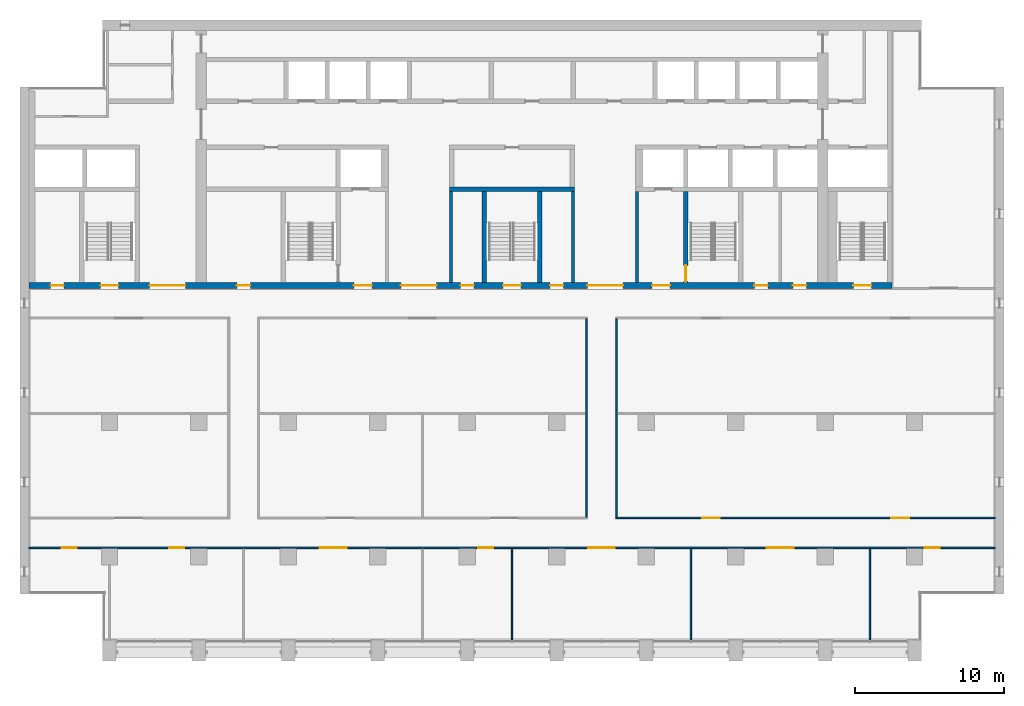
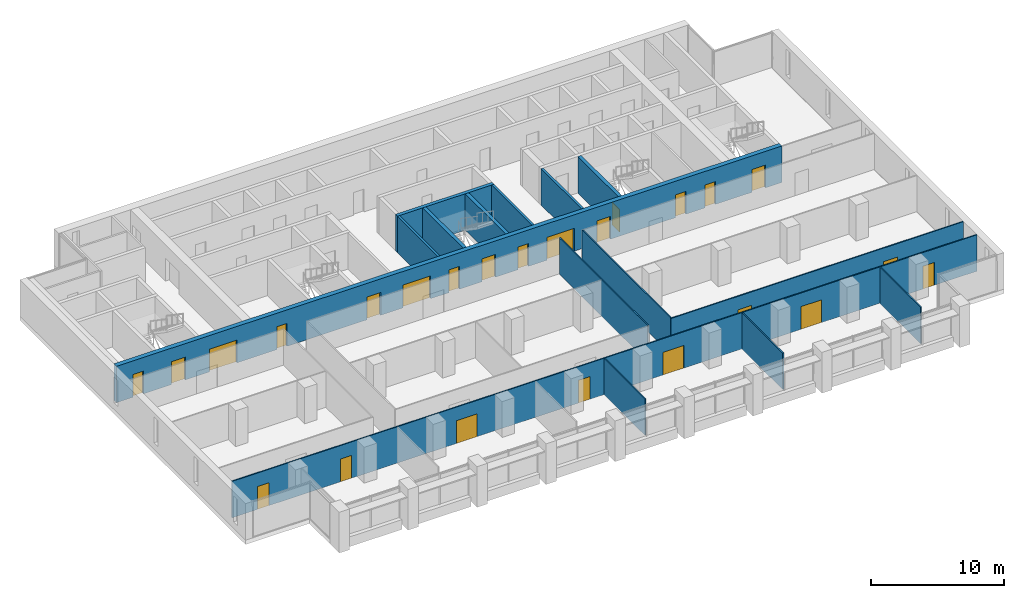
# One storey, part 9 of 17: 24 doors, 15 walls, 24 openings.
"""IFC4 building model written with IfcOpenShell, lengths in metres."""

from ifc_helpers import new_model, si_unit, direction, frame, frame_2d, origin, place, context, subcontext, project, spatial, rectangle, extrude, material, layer, layer_set, type_object, element, fill, save


model = new_model("IFC4")

# Units and contexts
model_context = context("Model", 3, precision=1e-05, world=origin(), true_north=direction((0.0, 1.0)))
body_context = subcontext(model_context, "Body", "Model", "MODEL_VIEW")
ifc_project = project(units=[si_unit("LENGTHUNIT", "METRE"), si_unit("AREAUNIT", "SQUARE_METRE"), si_unit("VOLUMEUNIT", "CUBIC_METRE"), si_unit("PLANEANGLEUNIT", "RADIAN"), si_unit("MASSUNIT", "GRAM", prefix="KILO")], contexts=[model_context])

# Site, building, storey
site_placement = place(None, origin())
site = spatial("IfcSite", under=ifc_project, at=site_placement, CompositionType="ELEMENT")
building_placement = place(site_placement, origin())
building = spatial("IfcBuilding", under=site, at=building_placement, Name="Calvaro Tower", CompositionType="ELEMENT")
storey_placement = place(building_placement, frame((0.0, 0.0, 193.0)))
storey = spatial("IfcBuildingStorey", under=building, at=storey_placement, Name="L48", CompositionType="ELEMENT", Elevation=193.0)

# Walls
ifc_material_1 = material(Name="Blockwork partition", Category="masonry")
ifc_layer_1 = layer(ifc_material_1, 0.199951171875)
ifc_layer_set_1 = layer_set([ifc_layer_1], Name="Blockwork partition")
wall_type_1 = type_object("IfcWallType", Name="Core partition 200 REI 120", PredefinedType="PARTITIONING", material=ifc_layer_set_1)
for number, where, z_axis, x_axis, name in (
    (1, (34.89990234375, 28.39990234375, 0.0), (0.0, 0.0, 1.0), (0.0, 1.0, 0.0), "Core partition"),
    (2, (43.10009765625, 28.39990234375, 0.0), (0.0, 0.0, 1.0), (0.0, 1.0, 0.0), "Core partition"),
    (3, (47.39990234375, 28.39990234375, 0.0), (0.0, 0.0, 1.0), (0.0, 1.0, 0.0), "Core partition"),
):
    element("IfcWall", number, at=place(storey_placement, frame(where, z_axis=z_axis, x_axis=x_axis)), inside=storey, type_object=wall_type_1, Name=name, PredefinedType="PARTITIONING", context=body_context, shape_type="SweptSolid", body=[
        extrude(rectangle(XDim=6.10009765625, YDim=0.199951171875, at=frame_2d((3.050048828125, 0.0))), origin(), (0.0, 0.0, 1.0), 3.35009765625),
    ])
ifc_material_2 = material(Name="Concrete C50/60", Category="concrete")
ifc_layer_2 = layer(ifc_material_2, 0.300048828125)
ifc_layer_set_2 = layer_set([ifc_layer_2], Name="Concrete C50/60")
wall_type_2 = type_object("IfcWallType", Name="Core wall C50/60 300", PredefinedType="SHEAR", material=ifc_layer_set_2)
for number, where, z_axis, x_axis, name in (
    (4, (37.14990234375, 28.39990234375, 0.0), (0.0, 0.0, 1.0), (0.0, 1.0, 0.0), "Core wall, stair enclosure"),
    (5, (40.85009765625, 28.39990234375, 0.0), (0.0, 0.0, 1.0), (0.0, 1.0, 0.0), "Core wall, stair enclosure"),
):
    element("IfcWall", number, at=place(storey_placement, frame(where, z_axis=z_axis, x_axis=x_axis)), inside=storey, type_object=wall_type_2, Name=name, PredefinedType="SHEAR", context=body_context, shape_type="SweptSolid", body=[
        extrude(rectangle(XDim=6.10009765625, YDim=0.300048828125, at=frame_2d((3.050048828125, 0.0))), origin(), (0.0, 0.0, 1.0), 3.35009765625),
    ])

# Wall, opening, door
wall_1_placement = place(storey_placement, frame((50.64990234375, 34.5, 0.0), z_axis=(0.0, 0.0, 1.0), x_axis=(0.0, -1.0, 0.0)))
wall_1 = element("IfcWall", 6, at=wall_1_placement, inside=storey, type_object=wall_type_2, Name="Core wall, stair enclosure", PredefinedType="SHEAR", context=body_context, shape_type="SweptSolid", body=[
    extrude(rectangle(XDim=6.10009765625, YDim=0.300048828125, at=frame_2d((3.050048828125, 0.0))), origin(), (0.0, 0.0, 1.0), 3.35009765625),
])
opening_1_placement = place(wall_1_placement, frame((4.949951171875, 0.0, 0.0)))
opening_1 = element("IfcOpeningElement", 7, at=opening_1_placement, cuts=wall_1, Name="Opening FD11D", PredefinedType="OPENING", context=body_context, shape_type="SweptSolid", body=[
    extrude(rectangle(XDim=1.10009765625, YDim=2.10009765625, at=frame_2d((0.550048828125, 1.050048828125))), frame((0.0, 0.159912109375, 0.0), z_axis=(0.0, -1.0, 0.0), x_axis=(1.0, 0.0, 0.0)), (0.0, 0.0, 1.0), 0.320068359375),
])
ifc_material_3 = material(Name="Steel door set", Category="steel")
door_type_1 = type_object("IfcDoorType", Name="Fire door 1100 FD30S", OperationType="SINGLE_SWING_LEFT", PredefinedType="DOOR", material=ifc_material_3)
door_1_placement = place(opening_1_placement, origin())
door_1 = element("IfcDoor", 8, at=door_1_placement, inside=storey, type_object=door_type_1, Name="Fire door", OperationType="SINGLE_SWING_RIGHT", OverallHeight=2.10009765625, OverallWidth=1.10009765625, PredefinedType="DOOR", context=body_context, shape_type="SweptSolid", body=[
    extrude(rectangle(XDim=1.10009765625, YDim=2.10009765625, at=frame_2d((0.550048828125, 1.050048828125))), frame((0.0, 0.02490234375, 0.0), z_axis=(0.0, -1.0, 0.0), x_axis=(1.0, 0.0, 0.0)), (0.0, 0.0, 1.0), 0.050048828125),
])
fill(opening_1, door_1)

# Wall
wall_2_placement = place(storey_placement, frame((34.800048828125, 34.64990234375, 0.0), z_axis=(0.0, 0.0, 1.0), x_axis=(1.0, 0.0, 0.0)))
element("IfcWall", 9, at=wall_2_placement, inside=storey, type_object=wall_type_2, Name="Core wall, lift shaft", PredefinedType="SHEAR", context=body_context, shape_type="SweptSolid", body=[
    extrude(rectangle(XDim=8.39990234375, YDim=0.300048828125, at=frame_2d((4.199951171875, 0.0))), origin(), (0.0, 0.0, 1.0), 3.35009765625),
])

# Wall, openings, doors
ifc_material_4 = material(Name="Concrete C50/60", Category="concrete")
ifc_layer_3 = layer(ifc_material_4, 0.39990234375)
ifc_layer_set_3 = layer_set([ifc_layer_3], Name="Concrete C50/60")
wall_type_3 = type_object("IfcWallType", Name="Core wall C50/60 400", PredefinedType="SHEAR", material=ifc_layer_set_3)
wall_3_placement = place(storey_placement, frame((6.60009765625, 28.199951171875, 0.0), z_axis=(0.0, 0.0, 1.0), x_axis=(1.0, 0.0, 0.0)))
wall_3 = element("IfcWall", 10, at=wall_3_placement, inside=storey, type_object=wall_type_3, Name="Core wall, front", PredefinedType="SHEAR", context=body_context, shape_type="SweptSolid", body=[
    extrude(rectangle(XDim=57.89990234375, YDim=0.39990234375, at=frame_2d((28.949951171875, 0.0))), origin(), (0.0, 0.0, 1.0), 3.35009765625),
])
opening_2_placement = place(wall_3_placement, frame((13.949951171875, 0.0, 0.0)))
opening_2 = element("IfcOpeningElement", 11, at=opening_2_placement, cuts=wall_3, Name="Opening RD9E", PredefinedType="OPENING", context=body_context, shape_type="SweptSolid", body=[
    extrude(rectangle(XDim=0.89990234375, YDim=2.10009765625, at=frame_2d((0.449951171875, 1.050048828125))), frame((0.0, 0.2099609375, 0.0), z_axis=(0.0, -1.0, 0.0), x_axis=(1.0, 0.0, 0.0)), (0.0, 0.0, 1.0), 0.419921875),
])
opening_3_placement = place(wall_3_placement, frame((48.66259765625, 0.0, 0.0)))
opening_3 = element("IfcOpeningElement", 12, at=opening_3_placement, cuts=wall_3, Name="Opening RD9C", PredefinedType="OPENING", context=body_context, shape_type="SweptSolid", body=[
    extrude(rectangle(XDim=0.89990234375, YDim=2.10009765625, at=frame_2d((0.449951171875, 1.050048828125))), frame((0.0, 0.2099609375, 0.0), z_axis=(0.0, -1.0, 0.0), x_axis=(1.0, 0.0, 0.0)), (0.0, 0.0, 1.0), 0.419921875),
])
opening_4_placement = place(wall_3_placement, frame((51.237548828125, 0.0, 0.0)))
opening_4 = element("IfcOpeningElement", 13, at=opening_4_placement, cuts=wall_3, Name="Opening RD9C", PredefinedType="OPENING", context=body_context, shape_type="SweptSolid", body=[
    extrude(rectangle(XDim=0.89990234375, YDim=2.10009765625, at=frame_2d((0.449951171875, 1.050048828125))), frame((0.0, 0.2099609375, 0.0), z_axis=(0.0, -1.0, 0.0), x_axis=(1.0, 0.0, 0.0)), (0.0, 0.0, 1.0), 0.419921875),
])
opening_5_placement = place(wall_3_placement, frame((1.449951171875, 0.0, 0.0)))
opening_5 = element("IfcOpeningElement", 14, at=opening_5_placement, cuts=wall_3, Name="Opening RD9C", PredefinedType="OPENING", context=body_context, shape_type="SweptSolid", body=[
    extrude(rectangle(XDim=0.89990234375, YDim=2.10009765625, at=frame_2d((0.449951171875, 1.050048828125))), frame((0.0, 0.2099609375, 0.0), z_axis=(0.0, -1.0, 0.0), x_axis=(1.0, 0.0, 0.0)), (0.0, 0.0, 1.0), 0.419921875),
])
opening_6_placement = place(wall_3_placement, frame((4.800048828125, 0.0, 0.0)))
opening_6 = element("IfcOpeningElement", 15, at=opening_6_placement, cuts=wall_3, Name="Opening SD12D", PredefinedType="OPENING", context=body_context, shape_type="SweptSolid", body=[
    extrude(rectangle(XDim=1.199951171875, YDim=2.10009765625, at=frame_2d((0.60009765625, 1.050048828125))), frame((0.0, 0.2099609375, 0.0), z_axis=(0.0, -1.0, 0.0), x_axis=(1.0, 0.0, 0.0)), (0.0, 0.0, 1.0), 0.419921875),
])
opening_7_placement = place(wall_3_placement, frame((31.800048828125, 0.0, 0.0)))
opening_7 = element("IfcOpeningElement", 16, at=opening_7_placement, cuts=wall_3, Name="Opening SD12D", PredefinedType="OPENING", context=body_context, shape_type="SweptSolid", body=[
    extrude(rectangle(XDim=1.199951171875, YDim=2.10009765625, at=frame_2d((0.60009765625, 1.050048828125))), frame((0.0, 0.2099609375, 0.0), z_axis=(0.0, -1.0, 0.0), x_axis=(1.0, 0.0, 0.0)), (0.0, 0.0, 1.0), 0.419921875),
])
opening_8_placement = place(wall_3_placement, frame((55.300048828125, 0.0, 0.0)))
opening_8 = element("IfcOpeningElement", 17, at=opening_8_placement, cuts=wall_3, Name="Opening SD12D", PredefinedType="OPENING", context=body_context, shape_type="SweptSolid", body=[
    extrude(rectangle(XDim=1.199951171875, YDim=2.10009765625, at=frame_2d((0.60009765625, 1.050048828125))), frame((0.0, 0.2099609375, 0.0), z_axis=(0.0, -1.0, 0.0), x_axis=(1.0, 0.0, 0.0)), (0.0, 0.0, 1.0), 0.419921875),
])
opening_9_placement = place(wall_3_placement, frame((21.800048828125, 0.0, 0.0)))
opening_9 = element("IfcOpeningElement", 18, at=opening_9_placement, cuts=wall_3, Name="Opening FD12F", PredefinedType="OPENING", context=body_context, shape_type="SweptSolid", body=[
    extrude(rectangle(XDim=1.199951171875, YDim=2.10009765625, at=frame_2d((0.60009765625, 1.050048828125))), frame((0.0, 0.2099609375, 0.0), z_axis=(0.0, -1.0, 0.0), x_axis=(1.0, 0.0, 0.0)), (0.0, 0.0, 1.0), 0.419921875),
])
opening_10_placement = place(wall_3_placement, frame((41.800048828125, 0.0, 0.0)))
opening_10 = element("IfcOpeningElement", 19, at=opening_10_placement, cuts=wall_3, Name="Opening FD12F", PredefinedType="OPENING", context=body_context, shape_type="SweptSolid", body=[
    extrude(rectangle(XDim=1.199951171875, YDim=2.10009765625, at=frame_2d((0.60009765625, 1.050048828125))), frame((0.0, 0.2099609375, 0.0), z_axis=(0.0, -1.0, 0.0), x_axis=(1.0, 0.0, 0.0)), (0.0, 0.0, 1.0), 0.419921875),
])
opening_11_placement = place(wall_3_placement, frame((24.949951171875, 0.0, 0.0)))
opening_11 = element("IfcOpeningElement", 20, at=opening_11_placement, cuts=wall_3, Name="Opening DD24D", PredefinedType="OPENING", context=body_context, shape_type="SweptSolid", body=[
    extrude(rectangle(XDim=2.39990234375, YDim=2.10009765625, at=frame_2d((1.199951171875, 1.050048828125))), frame((0.0, 0.2099609375, 0.0), z_axis=(0.0, -1.0, 0.0), x_axis=(1.0, 0.0, 0.0)), (0.0, 0.0, 1.0), 0.419921875),
])
opening_12_placement = place(wall_3_placement, frame((37.449951171875, 0.0, 0.0)))
opening_12 = element("IfcOpeningElement", 21, at=opening_12_placement, cuts=wall_3, Name="Opening DD24D", PredefinedType="OPENING", context=body_context, shape_type="SweptSolid", body=[
    extrude(rectangle(XDim=2.39990234375, YDim=2.10009765625, at=frame_2d((1.199951171875, 1.050048828125))), frame((0.0, 0.2099609375, 0.0), z_axis=(0.0, -1.0, 0.0), x_axis=(1.0, 0.0, 0.0)), (0.0, 0.0, 1.0), 0.419921875),
])
opening_13_placement = place(wall_3_placement, frame((8.10009765625, 0.0, 0.0)))
opening_13 = element("IfcOpeningElement", 22, at=opening_13_placement, cuts=wall_3, Name="Opening DD24D", PredefinedType="OPENING", context=body_context, shape_type="SweptSolid", body=[
    extrude(rectangle(XDim=2.39990234375, YDim=2.10009765625, at=frame_2d((1.199951171875, 1.050048828125))), frame((0.0, 0.2099609375, 0.0), z_axis=(0.0, -1.0, 0.0), x_axis=(1.0, 0.0, 0.0)), (0.0, 0.0, 1.0), 0.419921875),
])
opening_14_placement = place(wall_3_placement, frame((28.949951171875, 0.0, 0.0)))
opening_14 = element("IfcOpeningElement", 23, at=opening_14_placement, cuts=wall_3, Name="Opening RD9E", PredefinedType="OPENING", context=body_context, shape_type="SweptSolid", body=[
    extrude(rectangle(XDim=0.89990234375, YDim=2.10009765625, at=frame_2d((0.449951171875, 1.050048828125))), frame((0.0, 0.2099609375, 0.0), z_axis=(0.0, -1.0, 0.0), x_axis=(1.0, 0.0, 0.0)), (0.0, 0.0, 1.0), 0.419921875),
])
opening_15_placement = place(wall_3_placement, frame((34.949951171875, 0.0, 0.0)))
opening_15 = element("IfcOpeningElement", 24, at=opening_15_placement, cuts=wall_3, Name="Opening RD9E", PredefinedType="OPENING", context=body_context, shape_type="SweptSolid", body=[
    extrude(rectangle(XDim=0.89990234375, YDim=2.10009765625, at=frame_2d((0.449951171875, 1.050048828125))), frame((0.0, 0.2099609375, 0.0), z_axis=(0.0, -1.0, 0.0), x_axis=(1.0, 0.0, 0.0)), (0.0, 0.0, 1.0), 0.419921875),
])
ifc_material_5 = material(Name="Steel door set", Category="steel")
door_type_2 = type_object("IfcDoorType", Name="Fire door 1200 FD60S", OperationType="SINGLE_SWING_LEFT", PredefinedType="DOOR", material=ifc_material_5)
door_2_placement = place(opening_9_placement, origin())
door_2 = element("IfcDoor", 25, at=door_2_placement, inside=storey, type_object=door_type_2, Name="Fire door", OperationType="SINGLE_SWING_LEFT", OverallHeight=2.10009765625, OverallWidth=1.199951171875, PredefinedType="DOOR", context=body_context, shape_type="SweptSolid", body=[
    extrude(rectangle(XDim=1.199951171875, YDim=2.10009765625, at=frame_2d((0.60009765625, 1.050048828125))), frame((0.0, 0.02490234375, 0.0), z_axis=(0.0, -1.0, 0.0), x_axis=(1.0, 0.0, 0.0)), (0.0, 0.0, 1.0), 0.050048828125),
])
fill(opening_9, door_2)
door_3_placement = place(opening_10_placement, origin())
door_3 = element("IfcDoor", 26, at=door_3_placement, inside=storey, type_object=door_type_2, Name="Fire door", OperationType="SINGLE_SWING_LEFT", OverallHeight=2.10009765625, OverallWidth=1.199951171875, PredefinedType="DOOR", context=body_context, shape_type="SweptSolid", body=[
    extrude(rectangle(XDim=1.199951171875, YDim=2.10009765625, at=frame_2d((0.60009765625, 1.050048828125))), frame((0.0, 0.02490234375, 0.0), z_axis=(0.0, -1.0, 0.0), x_axis=(1.0, 0.0, 0.0)), (0.0, 0.0, 1.0), 0.050048828125),
])
fill(opening_10, door_3)
ifc_material_6 = material(Name="Steel door set", Category="steel")
door_type_3 = type_object("IfcDoorType", Name="Lobby double door 2400 FD30S", OperationType="DOUBLE_DOOR_SINGLE_SWING", PredefinedType="DOOR", material=ifc_material_6)
door_4_placement = place(opening_11_placement, origin())
door_4 = element("IfcDoor", 27, at=door_4_placement, inside=storey, type_object=door_type_3, Name="Lobby double door", OperationType="DOUBLE_DOOR_SINGLE_SWING", OverallHeight=2.10009765625, OverallWidth=2.39990234375, PredefinedType="DOOR", context=body_context, shape_type="SweptSolid", body=[
    extrude(rectangle(XDim=2.39990234375, YDim=2.10009765625, at=frame_2d((1.199951171875, 1.050048828125))), frame((0.0, 0.02490234375, 0.0), z_axis=(0.0, -1.0, 0.0), x_axis=(1.0, 0.0, 0.0)), (0.0, 0.0, 1.0), 0.050048828125),
])
fill(opening_11, door_4)
door_5_placement = place(opening_12_placement, origin())
door_5 = element("IfcDoor", 28, at=door_5_placement, inside=storey, type_object=door_type_3, Name="Lobby double door", OperationType="DOUBLE_DOOR_SINGLE_SWING", OverallHeight=2.10009765625, OverallWidth=2.39990234375, PredefinedType="DOOR", context=body_context, shape_type="SweptSolid", body=[
    extrude(rectangle(XDim=2.39990234375, YDim=2.10009765625, at=frame_2d((1.199951171875, 1.050048828125))), frame((0.0, 0.02490234375, 0.0), z_axis=(0.0, -1.0, 0.0), x_axis=(1.0, 0.0, 0.0)), (0.0, 0.0, 1.0), 0.050048828125),
])
fill(opening_12, door_5)
door_6_placement = place(opening_13_placement, origin())
door_6 = element("IfcDoor", 29, at=door_6_placement, inside=storey, type_object=door_type_3, Name="Lobby double door", OperationType="DOUBLE_DOOR_SINGLE_SWING", OverallHeight=2.10009765625, OverallWidth=2.39990234375, PredefinedType="DOOR", context=body_context, shape_type="SweptSolid", body=[
    extrude(rectangle(XDim=2.39990234375, YDim=2.10009765625, at=frame_2d((1.199951171875, 1.050048828125))), frame((0.0, 0.02490234375, 0.0), z_axis=(0.0, -1.0, 0.0), x_axis=(1.0, 0.0, 0.0)), (0.0, 0.0, 1.0), 0.050048828125),
])
fill(opening_13, door_6)
ifc_material_7 = material(Name="Steel door set", Category="steel")
door_type_4 = type_object("IfcDoorType", Name="Room door 900 FD30", OperationType="SINGLE_SWING_LEFT", PredefinedType="DOOR", material=ifc_material_7)
door_7_placement = place(opening_3_placement, origin())
door_7 = element("IfcDoor", 30, at=door_7_placement, inside=storey, type_object=door_type_4, Name="Room door", OperationType="SINGLE_SWING_LEFT", OverallHeight=2.10009765625, OverallWidth=0.89990234375, PredefinedType="DOOR", context=body_context, shape_type="SweptSolid", body=[
    extrude(rectangle(XDim=0.89990234375, YDim=2.10009765625, at=frame_2d((0.449951171875, 1.050048828125))), frame((0.0, 0.02490234375, 0.0), z_axis=(0.0, -1.0, 0.0), x_axis=(1.0, 0.0, 0.0)), (0.0, 0.0, 1.0), 0.050048828125),
])
fill(opening_3, door_7)
door_8_placement = place(opening_4_placement, origin())
door_8 = element("IfcDoor", 31, at=door_8_placement, inside=storey, type_object=door_type_4, Name="Room door", OperationType="SINGLE_SWING_LEFT", OverallHeight=2.10009765625, OverallWidth=0.89990234375, PredefinedType="DOOR", context=body_context, shape_type="SweptSolid", body=[
    extrude(rectangle(XDim=0.89990234375, YDim=2.10009765625, at=frame_2d((0.449951171875, 1.050048828125))), frame((0.0, 0.02490234375, 0.0), z_axis=(0.0, -1.0, 0.0), x_axis=(1.0, 0.0, 0.0)), (0.0, 0.0, 1.0), 0.050048828125),
])
fill(opening_4, door_8)
door_9_placement = place(opening_5_placement, origin())
door_9 = element("IfcDoor", 32, at=door_9_placement, inside=storey, type_object=door_type_4, Name="Room door", OperationType="SINGLE_SWING_LEFT", OverallHeight=2.10009765625, OverallWidth=0.89990234375, PredefinedType="DOOR", context=body_context, shape_type="SweptSolid", body=[
    extrude(rectangle(XDim=0.89990234375, YDim=2.10009765625, at=frame_2d((0.449951171875, 1.050048828125))), frame((0.0, 0.02490234375, 0.0), z_axis=(0.0, -1.0, 0.0), x_axis=(1.0, 0.0, 0.0)), (0.0, 0.0, 1.0), 0.050048828125),
])
fill(opening_5, door_9)
ifc_material_8 = material(Name="Steel door set", Category="steel")
door_type_5 = type_object("IfcDoorType", Name="Room door 900 FD60", OperationType="SINGLE_SWING_LEFT", PredefinedType="DOOR", material=ifc_material_8)
door_10_placement = place(opening_2_placement, origin())
door_10 = element("IfcDoor", 33, at=door_10_placement, inside=storey, type_object=door_type_5, Name="Room door", OperationType="SINGLE_SWING_LEFT", OverallHeight=2.10009765625, OverallWidth=0.89990234375, PredefinedType="DOOR", context=body_context, shape_type="SweptSolid", body=[
    extrude(rectangle(XDim=0.89990234375, YDim=2.10009765625, at=frame_2d((0.449951171875, 1.050048828125))), frame((0.0, 0.02490234375, 0.0), z_axis=(0.0, -1.0, 0.0), x_axis=(1.0, 0.0, 0.0)), (0.0, 0.0, 1.0), 0.050048828125),
])
fill(opening_2, door_10)
door_11_placement = place(opening_14_placement, origin())
door_11 = element("IfcDoor", 34, at=door_11_placement, inside=storey, type_object=door_type_5, Name="Room door", OperationType="SINGLE_SWING_LEFT", OverallHeight=2.10009765625, OverallWidth=0.89990234375, PredefinedType="DOOR", context=body_context, shape_type="SweptSolid", body=[
    extrude(rectangle(XDim=0.89990234375, YDim=2.10009765625, at=frame_2d((0.449951171875, 1.050048828125))), frame((0.0, 0.02490234375, 0.0), z_axis=(0.0, -1.0, 0.0), x_axis=(1.0, 0.0, 0.0)), (0.0, 0.0, 1.0), 0.050048828125),
])
fill(opening_14, door_11)
door_12_placement = place(opening_15_placement, origin())
door_12 = element("IfcDoor", 35, at=door_12_placement, inside=storey, type_object=door_type_5, Name="Room door", OperationType="SINGLE_SWING_LEFT", OverallHeight=2.10009765625, OverallWidth=0.89990234375, PredefinedType="DOOR", context=body_context, shape_type="SweptSolid", body=[
    extrude(rectangle(XDim=0.89990234375, YDim=2.10009765625, at=frame_2d((0.449951171875, 1.050048828125))), frame((0.0, 0.02490234375, 0.0), z_axis=(0.0, -1.0, 0.0), x_axis=(1.0, 0.0, 0.0)), (0.0, 0.0, 1.0), 0.050048828125),
])
fill(opening_15, door_12)
ifc_material_9 = material(Name="Steel door set", Category="steel")
door_type_6 = type_object("IfcDoorType", Name="Stair door 1200 FD30S", OperationType="SINGLE_SWING_LEFT", PredefinedType="DOOR", material=ifc_material_9)
door_13_placement = place(opening_6_placement, origin())
door_13 = element("IfcDoor", 36, at=door_13_placement, inside=storey, type_object=door_type_6, Name="Stair door", OperationType="SINGLE_SWING_LEFT", OverallHeight=2.10009765625, OverallWidth=1.199951171875, PredefinedType="DOOR", context=body_context, shape_type="SweptSolid", body=[
    extrude(rectangle(XDim=1.199951171875, YDim=2.10009765625, at=frame_2d((0.60009765625, 1.050048828125))), frame((0.0, 0.02490234375, 0.0), z_axis=(0.0, -1.0, 0.0), x_axis=(1.0, 0.0, 0.0)), (0.0, 0.0, 1.0), 0.050048828125),
])
fill(opening_6, door_13)
door_14_placement = place(opening_7_placement, origin())
door_14 = element("IfcDoor", 37, at=door_14_placement, inside=storey, type_object=door_type_6, Name="Stair door", OperationType="SINGLE_SWING_LEFT", OverallHeight=2.10009765625, OverallWidth=1.199951171875, PredefinedType="DOOR", context=body_context, shape_type="SweptSolid", body=[
    extrude(rectangle(XDim=1.199951171875, YDim=2.10009765625, at=frame_2d((0.60009765625, 1.050048828125))), frame((0.0, 0.02490234375, 0.0), z_axis=(0.0, -1.0, 0.0), x_axis=(1.0, 0.0, 0.0)), (0.0, 0.0, 1.0), 0.050048828125),
])
fill(opening_7, door_14)
door_15_placement = place(opening_8_placement, origin())
door_15 = element("IfcDoor", 38, at=door_15_placement, inside=storey, type_object=door_type_6, Name="Stair door", OperationType="SINGLE_SWING_LEFT", OverallHeight=2.10009765625, OverallWidth=1.199951171875, PredefinedType="DOOR", context=body_context, shape_type="SweptSolid", body=[
    extrude(rectangle(XDim=1.199951171875, YDim=2.10009765625, at=frame_2d((0.60009765625, 1.050048828125))), frame((0.0, 0.02490234375, 0.0), z_axis=(0.0, -1.0, 0.0), x_axis=(1.0, 0.0, 0.0)), (0.0, 0.0, 1.0), 0.050048828125),
])
fill(opening_8, door_15)

ifc_material_10 = material(Name="Plasterboard on steel studs", Category="steel")
ifc_layer_4 = layer(ifc_material_10, 0.10009765625)
ifc_layer_set_4 = layer_set([ifc_layer_4], Name="Plasterboard on steel studs")
wall_type_4 = type_object("IfcWallType", Name="Partition 100", PredefinedType="PARTITIONING", material=ifc_layer_set_4)
wall_4_placement = place(storey_placement, frame((6.60009765625, 10.60009765625, 0.0), z_axis=(0.0, 0.0, 1.0), x_axis=(1.0, 0.0, 0.0)))
wall_4 = element("IfcWall", 39, at=wall_4_placement, inside=storey, type_object=wall_type_4, Name="Partition T28.W001", PredefinedType="PARTITIONING", context=body_context, shape_type="SweptSolid", body=[
    extrude(rectangle(XDim=64.7998046875, YDim=0.10009765625, at=frame_2d((32.39990234375, 0.0))), origin(), (0.0, 0.0, 1.0), 3.35009765625),
])
opening_16_placement = place(wall_4_placement, frame((9.39990234375, 0.0, 0.0)))
opening_16 = element("IfcOpeningElement", 40, at=opening_16_placement, cuts=wall_4, Name="Opening T28.001", PredefinedType="OPENING", context=body_context, shape_type="SweptSolid", body=[
    extrude(rectangle(XDim=1.0, YDim=2.10009765625, at=frame_2d((0.5, 1.050048828125))), frame((0.0, 0.06005859375, 0.0), z_axis=(0.0, -1.0, 0.0), x_axis=(1.0, 0.0, 0.0)), (0.0, 0.0, 1.0), 0.1201171875),
])
opening_17_placement = place(wall_4_placement, frame((19.5, 0.0, 0.0)))
opening_17 = element("IfcOpeningElement", 41, at=opening_17_placement, cuts=wall_4, Name="Opening T28.002", PredefinedType="OPENING", context=body_context, shape_type="SweptSolid", body=[
    extrude(rectangle(XDim=1.800048828125, YDim=2.10009765625, at=frame_2d((0.89990234375, 1.050048828125))), frame((0.0, 0.06005859375, 0.0), z_axis=(0.0, -1.0, 0.0), x_axis=(1.0, 0.0, 0.0)), (0.0, 0.0, 1.0), 0.1201171875),
])
opening_18_placement = place(wall_4_placement, frame((30.14990234375, 0.0, 0.0)))
opening_18 = element("IfcOpeningElement", 42, at=opening_18_placement, cuts=wall_4, Name="Opening T28.003", PredefinedType="OPENING", context=body_context, shape_type="SweptSolid", body=[
    extrude(rectangle(XDim=1.0, YDim=2.10009765625, at=frame_2d((0.5, 1.050048828125))), frame((0.0, 0.06005859375, 0.0), z_axis=(0.0, -1.0, 0.0), x_axis=(1.0, 0.0, 0.0)), (0.0, 0.0, 1.0), 0.1201171875),
])
opening_19_placement = place(wall_4_placement, frame((37.5, 0.0, 0.0)))
opening_19 = element("IfcOpeningElement", 43, at=opening_19_placement, cuts=wall_4, Name="Opening T28.004", PredefinedType="OPENING", context=body_context, shape_type="SweptSolid", body=[
    extrude(rectangle(XDim=1.800048828125, YDim=2.10009765625, at=frame_2d((0.89990234375, 1.050048828125))), frame((0.0, 0.06005859375, 0.0), z_axis=(0.0, -1.0, 0.0), x_axis=(1.0, 0.0, 0.0)), (0.0, 0.0, 1.0), 0.1201171875),
])
opening_20_placement = place(wall_4_placement, frame((49.5, 0.0, 0.0)))
opening_20 = element("IfcOpeningElement", 44, at=opening_20_placement, cuts=wall_4, Name="Opening T28.005", PredefinedType="OPENING", context=body_context, shape_type="SweptSolid", body=[
    extrude(rectangle(XDim=1.800048828125, YDim=2.10009765625, at=frame_2d((0.89990234375, 1.050048828125))), frame((0.0, 0.06005859375, 0.0), z_axis=(0.0, -1.0, 0.0), x_axis=(1.0, 0.0, 0.0)), (0.0, 0.0, 1.0), 0.1201171875),
])
opening_21_placement = place(wall_4_placement, frame((60.10009765625, 0.0, 0.0)))
opening_21 = element("IfcOpeningElement", 45, at=opening_21_placement, cuts=wall_4, Name="Opening T28.006", PredefinedType="OPENING", context=body_context, shape_type="SweptSolid", body=[
    extrude(rectangle(XDim=1.0, YDim=2.10009765625, at=frame_2d((0.5, 1.050048828125))), frame((0.0, 0.06005859375, 0.0), z_axis=(0.0, -1.0, 0.0), x_axis=(1.0, 0.0, 0.0)), (0.0, 0.0, 1.0), 0.1201171875),
])
opening_22_placement = place(wall_4_placement, frame((2.199951171875, 0.0, 0.0)))
opening_22 = element("IfcOpeningElement", 46, at=opening_22_placement, cuts=wall_4, Name="Opening T28.007", PredefinedType="OPENING", context=body_context, shape_type="SweptSolid", body=[
    extrude(rectangle(XDim=1.0, YDim=2.10009765625, at=frame_2d((0.5, 1.050048828125))), frame((0.0, 0.06005859375, 0.0), z_axis=(0.0, -1.0, 0.0), x_axis=(1.0, 0.0, 0.0)), (0.0, 0.0, 1.0), 0.1201171875),
])
ifc_material_11 = material(Name="Timber", Category="wood")
door_type_7 = type_object("IfcDoorType", Name="Internal double door 1800 x 2100", OperationType="DOUBLE_DOOR_SINGLE_SWING", PredefinedType="DOOR", material=ifc_material_11)
door_16_placement = place(opening_17_placement, origin())
door_16 = element("IfcDoor", 47, at=door_16_placement, inside=storey, type_object=door_type_7, Name="Door T28.002", OperationType="DOUBLE_DOOR_SINGLE_SWING", OverallHeight=2.10009765625, OverallWidth=1.800048828125, PredefinedType="DOOR", context=body_context, shape_type="SweptSolid", body=[
    extrude(rectangle(XDim=1.800048828125, YDim=2.10009765625, at=frame_2d((0.89990234375, 1.050048828125))), frame((0.0, 0.02490234375, 0.0), z_axis=(0.0, -1.0, 0.0), x_axis=(1.0, 0.0, 0.0)), (0.0, 0.0, 1.0), 0.050048828125),
])
fill(opening_17, door_16)
door_17_placement = place(opening_19_placement, origin())
door_17 = element("IfcDoor", 48, at=door_17_placement, inside=storey, type_object=door_type_7, Name="Door T28.004", OperationType="DOUBLE_DOOR_SINGLE_SWING", OverallHeight=2.10009765625, OverallWidth=1.800048828125, PredefinedType="DOOR", context=body_context, shape_type="SweptSolid", body=[
    extrude(rectangle(XDim=1.800048828125, YDim=2.10009765625, at=frame_2d((0.89990234375, 1.050048828125))), frame((0.0, 0.02490234375, 0.0), z_axis=(0.0, -1.0, 0.0), x_axis=(1.0, 0.0, 0.0)), (0.0, 0.0, 1.0), 0.050048828125),
])
fill(opening_19, door_17)
door_18_placement = place(opening_20_placement, origin())
door_18 = element("IfcDoor", 49, at=door_18_placement, inside=storey, type_object=door_type_7, Name="Door T28.005", OperationType="DOUBLE_DOOR_SINGLE_SWING", OverallHeight=2.10009765625, OverallWidth=1.800048828125, PredefinedType="DOOR", context=body_context, shape_type="SweptSolid", body=[
    extrude(rectangle(XDim=1.800048828125, YDim=2.10009765625, at=frame_2d((0.89990234375, 1.050048828125))), frame((0.0, 0.02490234375, 0.0), z_axis=(0.0, -1.0, 0.0), x_axis=(1.0, 0.0, 0.0)), (0.0, 0.0, 1.0), 0.050048828125),
])
fill(opening_20, door_18)
ifc_material_12 = material(Name="Timber", Category="wood")
door_type_8 = type_object("IfcDoorType", Name="Internal single door 1000 x 2100", OperationType="SINGLE_SWING_LEFT", PredefinedType="DOOR", material=ifc_material_12)
door_19_placement = place(opening_16_placement, origin())
door_19 = element("IfcDoor", 50, at=door_19_placement, inside=storey, type_object=door_type_8, Name="Door T28.001", OperationType="SINGLE_SWING_LEFT", OverallHeight=2.10009765625, OverallWidth=1.0, PredefinedType="DOOR", context=body_context, shape_type="SweptSolid", body=[
    extrude(rectangle(XDim=1.0, YDim=2.10009765625, at=frame_2d((0.5, 1.050048828125))), frame((0.0, 0.02490234375, 0.0), z_axis=(0.0, -1.0, 0.0), x_axis=(1.0, 0.0, 0.0)), (0.0, 0.0, 1.0), 0.050048828125),
])
fill(opening_16, door_19)
door_20_placement = place(opening_18_placement, origin())
door_20 = element("IfcDoor", 51, at=door_20_placement, inside=storey, type_object=door_type_8, Name="Door T28.003", OperationType="SINGLE_SWING_LEFT", OverallHeight=2.10009765625, OverallWidth=1.0, PredefinedType="DOOR", context=body_context, shape_type="SweptSolid", body=[
    extrude(rectangle(XDim=1.0, YDim=2.10009765625, at=frame_2d((0.5, 1.050048828125))), frame((0.0, 0.02490234375, 0.0), z_axis=(0.0, -1.0, 0.0), x_axis=(1.0, 0.0, 0.0)), (0.0, 0.0, 1.0), 0.050048828125),
])
fill(opening_18, door_20)
door_21_placement = place(opening_21_placement, origin())
door_21 = element("IfcDoor", 52, at=door_21_placement, inside=storey, type_object=door_type_8, Name="Door T28.006", OperationType="SINGLE_SWING_RIGHT", OverallHeight=2.10009765625, OverallWidth=1.0, PredefinedType="DOOR", context=body_context, shape_type="SweptSolid", body=[
    extrude(rectangle(XDim=1.0, YDim=2.10009765625, at=frame_2d((0.5, 1.050048828125))), frame((0.0, 0.02490234375, 0.0), z_axis=(0.0, -1.0, 0.0), x_axis=(1.0, 0.0, 0.0)), (0.0, 0.0, 1.0), 0.050048828125),
])
fill(opening_21, door_21)
door_22_placement = place(opening_22_placement, origin())
door_22 = element("IfcDoor", 53, at=door_22_placement, inside=storey, type_object=door_type_8, Name="Door T28.007", OperationType="SINGLE_SWING_LEFT", OverallHeight=2.10009765625, OverallWidth=1.0, PredefinedType="DOOR", context=body_context, shape_type="SweptSolid", body=[
    extrude(rectangle(XDim=1.0, YDim=2.10009765625, at=frame_2d((0.5, 1.050048828125))), frame((0.0, 0.02490234375, 0.0), z_axis=(0.0, -1.0, 0.0), x_axis=(1.0, 0.0, 0.0)), (0.0, 0.0, 1.0), 0.050048828125),
])
fill(opening_22, door_22)

wall_5_placement = place(storey_placement, frame((45.949951171875, 12.60009765625, 0.0), z_axis=(0.0, 0.0, 1.0), x_axis=(1.0, 0.0, 0.0)))
wall_5 = element("IfcWall", 54, at=wall_5_placement, inside=storey, type_object=wall_type_4, Name="Partition T28.W004", PredefinedType="PARTITIONING", context=body_context, shape_type="SweptSolid", body=[
    extrude(rectangle(XDim=25.449951171875, YDim=0.10009765625, at=frame_2d((12.72509765625, 0.0))), origin(), (0.0, 0.0, 1.0), 3.35009765625),
])
opening_23_placement = place(wall_5_placement, frame((5.800048828125, 0.0, 0.0)))
opening_23 = element("IfcOpeningElement", 55, at=opening_23_placement, cuts=wall_5, Name="Opening T28.011", PredefinedType="OPENING", context=body_context, shape_type="SweptSolid", body=[
    extrude(rectangle(XDim=1.199951171875, YDim=2.10009765625, at=frame_2d((0.60009765625, 1.050048828125))), frame((0.0, 0.06005859375, 0.0), z_axis=(0.0, -1.0, 0.0), x_axis=(1.0, 0.0, 0.0)), (0.0, 0.0, 1.0), 0.1201171875),
])
opening_24_placement = place(wall_5_placement, frame((18.5, 0.0, 0.0)))
opening_24 = element("IfcOpeningElement", 56, at=opening_24_placement, cuts=wall_5, Name="Opening T28.012", PredefinedType="OPENING", context=body_context, shape_type="SweptSolid", body=[
    extrude(rectangle(XDim=1.199951171875, YDim=2.10009765625, at=frame_2d((0.60009765625, 1.050048828125))), frame((0.0, 0.06005859375, 0.0), z_axis=(0.0, -1.0, 0.0), x_axis=(1.0, 0.0, 0.0)), (0.0, 0.0, 1.0), 0.1201171875),
])
ifc_material_13 = material(Name="Timber", Category="wood")
door_type_9 = type_object("IfcDoorType", Name="Internal single door 1200 x 2100", OperationType="SINGLE_SWING_LEFT", PredefinedType="DOOR", material=ifc_material_13)
door_23_placement = place(opening_23_placement, origin())
door_23 = element("IfcDoor", 57, at=door_23_placement, inside=storey, type_object=door_type_9, Name="Door T28.011", OperationType="SINGLE_SWING_LEFT", OverallHeight=2.10009765625, OverallWidth=1.199951171875, PredefinedType="DOOR", context=body_context, shape_type="SweptSolid", body=[
    extrude(rectangle(XDim=1.199951171875, YDim=2.10009765625, at=frame_2d((0.60009765625, 1.050048828125))), frame((0.0, 0.02490234375, 0.0), z_axis=(0.0, -1.0, 0.0), x_axis=(1.0, 0.0, 0.0)), (0.0, 0.0, 1.0), 0.050048828125),
])
fill(opening_23, door_23)
door_24_placement = place(opening_24_placement, origin())
door_24 = element("IfcDoor", 58, at=door_24_placement, inside=storey, type_object=door_type_9, Name="Door T28.012", OperationType="SINGLE_SWING_RIGHT", OverallHeight=2.10009765625, OverallWidth=1.199951171875, PredefinedType="DOOR", context=body_context, shape_type="SweptSolid", body=[
    extrude(rectangle(XDim=1.199951171875, YDim=2.10009765625, at=frame_2d((0.60009765625, 1.050048828125))), frame((0.0, 0.02490234375, 0.0), z_axis=(0.0, -1.0, 0.0), x_axis=(1.0, 0.0, 0.0)), (0.0, 0.0, 1.0), 0.050048828125),
])
fill(opening_24, door_24)

# Walls
wall_6_placement = place(storey_placement, frame((39.0, 4.39990234375, 0.0), z_axis=(0.0, 0.0, 1.0), x_axis=(0.0, 1.0, 0.0)))
element("IfcWall", 59, at=wall_6_placement, inside=storey, type_object=wall_type_4, Name="Partition T28.W018", PredefinedType="PARTITIONING", context=body_context, shape_type="SweptSolid", body=[
    extrude(rectangle(XDim=6.150146484375, YDim=0.10009765625, at=frame_2d((3.0751953125, 0.0))), origin(), (0.0, 0.0, 1.0), 3.35009765625),
])
for number, where, z_axis, x_axis, name in (
    (60, (44.0, 12.64990234375, 0.0), (0.0, 0.0, 1.0), (0.0, 1.0, 0.0), "Partition T28.W019"),
    (61, (46.0, 12.64990234375, 0.0), (0.0, 0.0, 1.0), (0.0, 1.0, 0.0), "Partition T28.W020"),
):
    element("IfcWall", number, at=place(storey_placement, frame(where, z_axis=z_axis, x_axis=x_axis)), inside=storey, type_object=wall_type_4, Name=name, PredefinedType="PARTITIONING", context=body_context, shape_type="SweptSolid", body=[
        extrude(rectangle(XDim=13.300048828125, YDim=0.10009765625, at=frame_2d((6.64990234375, 0.0))), origin(), (0.0, 0.0, 1.0), 3.35009765625),
    ])
for number, where, z_axis, x_axis, name in (
    (62, (51.0, 4.39990234375, 0.0), (0.0, 0.0, 1.0), (0.0, 1.0, 0.0), "Partition T28.W021"),
    (63, (63.0, 4.39990234375, 0.0), (0.0, 0.0, 1.0), (0.0, 1.0, 0.0), "Partition T28.W022"),
):
    element("IfcWall", number, at=place(storey_placement, frame(where, z_axis=z_axis, x_axis=x_axis)), inside=storey, type_object=wall_type_4, Name=name, PredefinedType="PARTITIONING", context=body_context, shape_type="SweptSolid", body=[
        extrude(rectangle(XDim=6.150146484375, YDim=0.10009765625, at=frame_2d((3.0751953125, 0.0))), origin(), (0.0, 0.0, 1.0), 3.35009765625),
    ])

save(model, "model.ifc")
